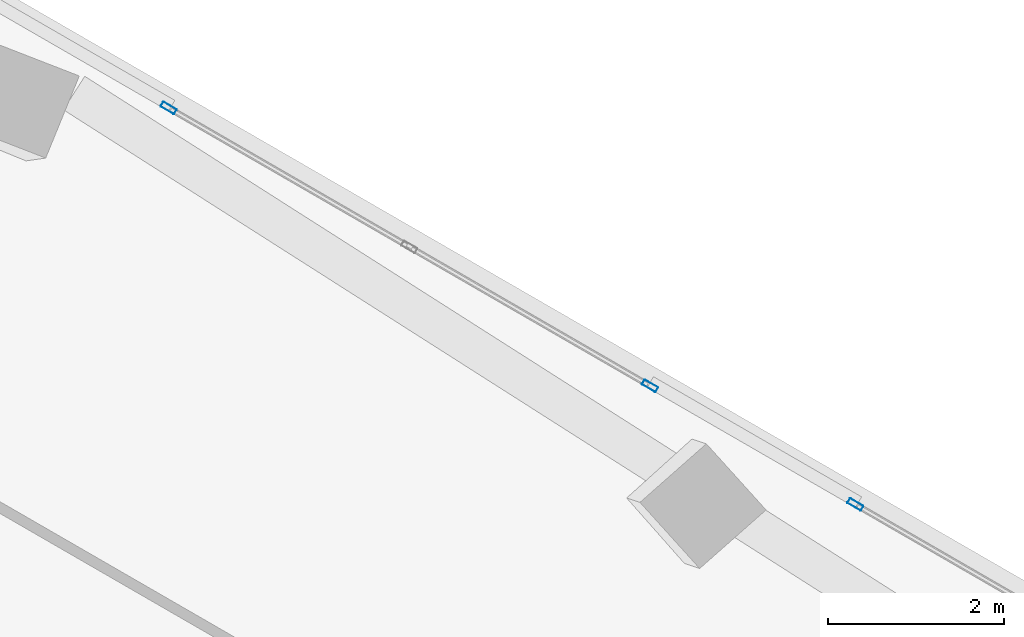
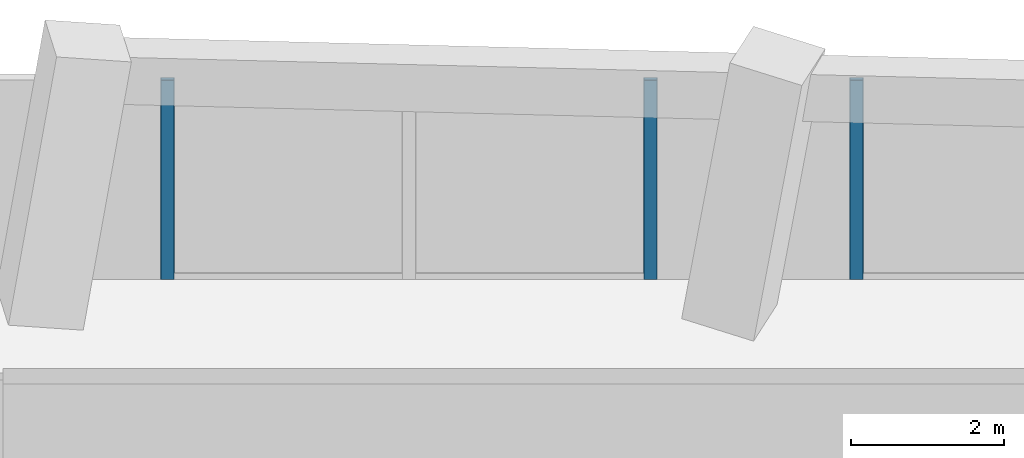
# One storey, part 13 of 22: 3 members, 2 elements without a shape of their own.
"""IFC4 building model written with IfcOpenShell, lengths in metres."""

from ifc_helpers import new_model, si_unit, direction, frame, origin, origin_2d, place, context, subcontext, project, spatial, hollow_rectangle, extrude, source, transform, mapped, material, material_profile, profile_set, type_object, element, aggregate, save


model = new_model("IFC4")

# Units and contexts
model_context = context("Model", 3, precision=1e-05, world=origin(), true_north=direction((0.0, 1.0)))
body_context = subcontext(model_context, "Body", "Model", "MODEL_VIEW")
ifc_project = project(units=[si_unit("LENGTHUNIT", "METRE"), si_unit("AREAUNIT", "SQUARE_METRE"), si_unit("VOLUMEUNIT", "CUBIC_METRE"), si_unit("PLANEANGLEUNIT", "RADIAN"), si_unit("MASSUNIT", "GRAM", prefix="KILO")], contexts=[model_context])

# Site, building, storey
site_placement = place(None, origin())
site = spatial("IfcSite", under=ifc_project, at=site_placement, CompositionType="ELEMENT")
building_placement = place(site_placement, origin())
building = spatial("IfcBuilding", under=site, at=building_placement, Name="Torre Montelarca", CompositionType="ELEMENT")
storey_placement = place(building_placement, frame((0.0, 0.0, 183.39990234375)))
storey = spatial("IfcBuildingStorey", under=building, at=storey_placement, Name="L41", CompositionType="ELEMENT", Elevation=183.39990234375)

# Curtain wall, member
ifc_material_1 = material(Name="Insulated low-E laminated glass", Category="glass")
curtain_wall_type = type_object("IfcCurtainWallType", Name="CW-SYS-Z2", PredefinedType="USERDEFINED", material=ifc_material_1)
curtain_wall_1_placement = place(storey_placement, origin())
curtain_wall_1 = element("IfcCurtainWall", 1, at=curtain_wall_1_placement, inside=storey, type_object=curtain_wall_type, Name="L41 Curtain Wall Run CW-T3-L41-E08-B3", ObjectType="UNITISED GLAZING", PredefinedType="USERDEFINED")
ifc_material_2 = material(Name="Anodised aluminium AA 6063-T6", Category="aluminium")
ifc_material_profile = material_profile(ifc_material_2, hollow_rectangle(XDim=0.06494140625, YDim=0.179931640625, WallThickness=0.00390625, InnerFilletRadius=0.00390625, OuterFilletRadius=0.008056640625, at=origin_2d()), Name="ALU65X180X4", Category="aluminium")
ifc_profile_set = profile_set([ifc_material_profile], Name="Anodised aluminium AA 6063-T6")
member_type = type_object("IfcMemberType", Name="CWM-ALU180", PredefinedType="MULLION", material=ifc_profile_set)
shared_shape = source(origin(), body_context, "Body", "SweptSolid", [
    extrude(hollow_rectangle(XDim=0.06494140625, YDim=0.179931640625, WallThickness=0.00390625, InnerFilletRadius=0.00390625, OuterFilletRadius=0.008056640625, at=origin_2d()), origin(), (0.0, 0.0, 1.0), 3.175048828125),
])
member_1_placement = place(storey_placement, frame((27.9560546875, 46.82861328125, 0.0), z_axis=(0.0, 0.0, 1.0), x_axis=(-0.500000323914, -0.866025216772, 0.0)))
member_1 = element("IfcMember", 2, at=member_1_placement, type_object=member_type, Name="CW mullion 3", PredefinedType="MULLION", context=body_context, shape_type="MappedRepresentation", body=[
    mapped(shared_shape, transform((0.0, 0.0, 0.0), scale=1.0)),
])
aggregate(curtain_wall_1, [member_1])

# Curtain wall, members
curtain_wall_2_placement = place(storey_placement, origin())
curtain_wall_2 = element("IfcCurtainWall", 3, at=curtain_wall_2_placement, inside=storey, type_object=curtain_wall_type, Name="L41 Curtain Wall Run CW-T3-L41-E08-B4", ObjectType="UNITISED GLAZING", PredefinedType="USERDEFINED")
member_2_placement = place(storey_placement, frame((25.626953125, 48.17333984375, 0.0), z_axis=(0.0, 0.0, 1.0), x_axis=(-0.499997072389, -0.866027094035, 0.0)))
member_2 = element("IfcMember", 4, at=member_2_placement, type_object=member_type, Name="CW mullion 1", PredefinedType="MULLION", context=body_context, shape_type="MappedRepresentation", body=[
    mapped(shared_shape, transform((0.0, 0.0, 0.0), scale=1.0)),
])
member_3_placement = place(storey_placement, frame((20.169189453125, 51.324462890625, 0.0), z_axis=(0.0, 0.0, 1.0), x_axis=(-0.499997072389, -0.866027094035, 0.0)))
member_3 = element("IfcMember", 5, at=member_3_placement, type_object=member_type, Name="CW mullion 3", PredefinedType="MULLION", context=body_context, shape_type="MappedRepresentation", body=[
    mapped(shared_shape, transform((0.0, 0.0, 0.0), scale=1.0)),
])
aggregate(curtain_wall_2, [member_2, member_3])

save(model, "model.ifc")
